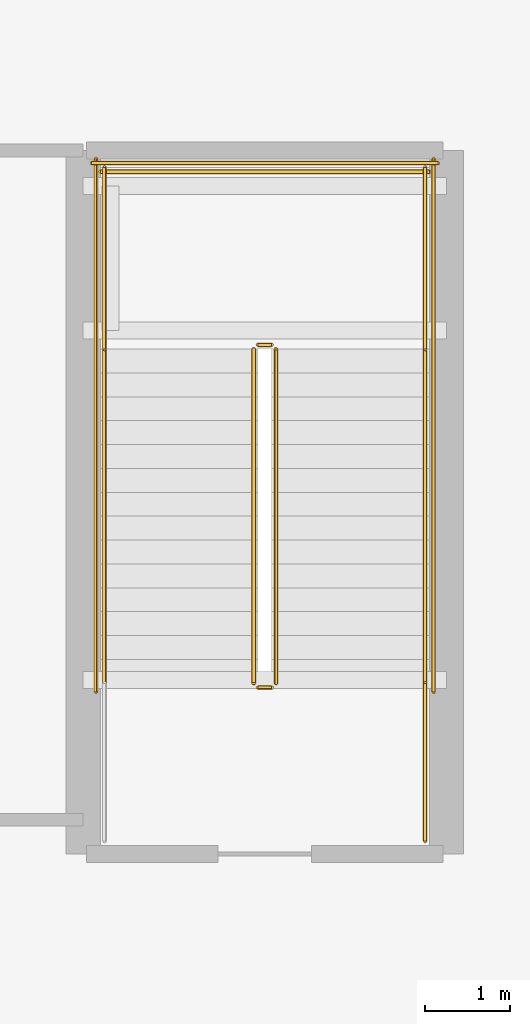
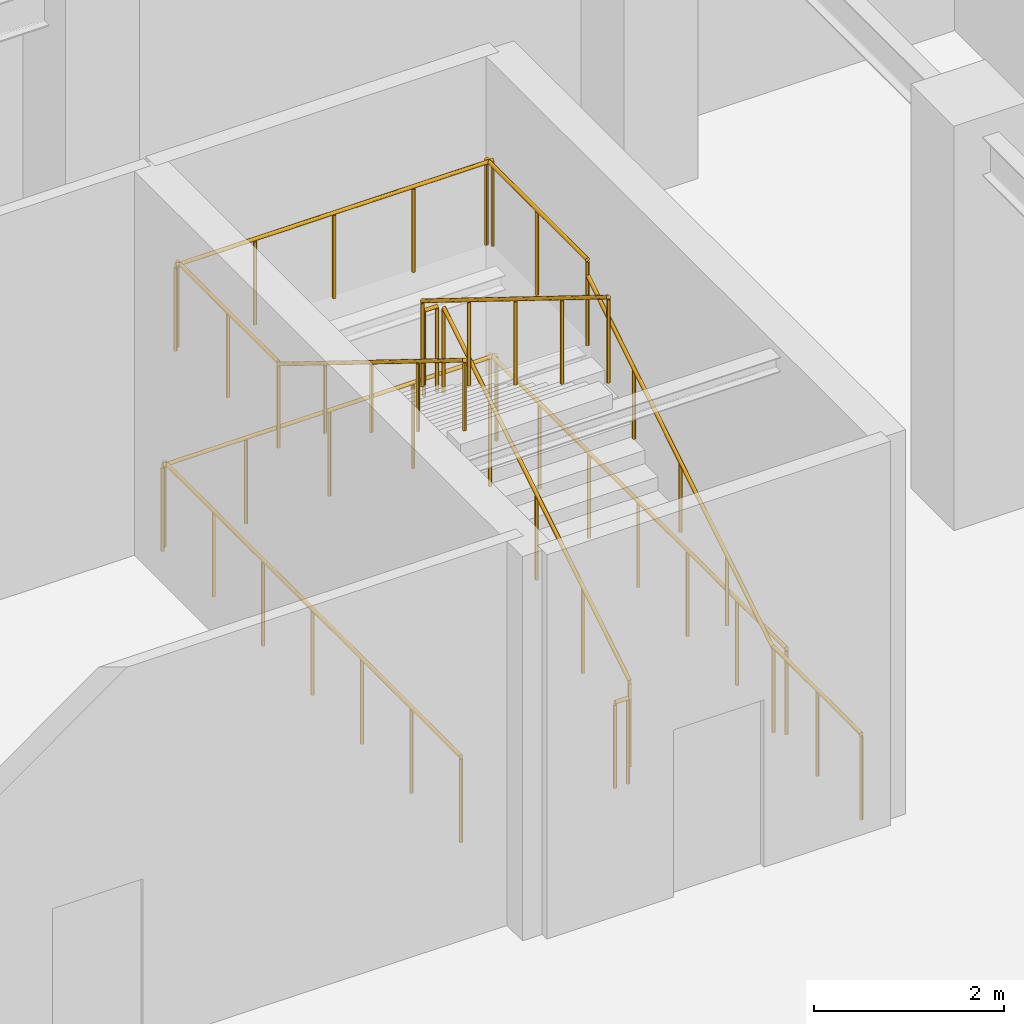
# One storey, part 19 of 19: 13 railings.
"""IFC4 building model written with IfcOpenShell, lengths in metres."""

from ifc_helpers import new_model, si_unit, direction, frame, origin, origin_2d, place, context, subcontext, project, spatial, circle, extrude, material, layer, layer_set, type_object, element, save


model = new_model("IFC4")

# Units and contexts
model_context = context("Model", 3, precision=1e-05, world=origin(), true_north=direction((0.0, 1.0)))
body_context = subcontext(model_context, "Body", "Model", "MODEL_VIEW")
ifc_project = project(units=[si_unit("LENGTHUNIT", "METRE"), si_unit("AREAUNIT", "SQUARE_METRE"), si_unit("VOLUMEUNIT", "CUBIC_METRE"), si_unit("PLANEANGLEUNIT", "RADIAN"), si_unit("MASSUNIT", "GRAM", prefix="KILO")], contexts=[model_context])

# Site, building, storey
site_placement = place(None, origin())
site = spatial("IfcSite", under=ifc_project, at=site_placement, CompositionType="ELEMENT")
building_placement = place(site_placement, origin())
building = spatial("IfcBuilding", under=site, at=building_placement, Name="Yelkora Congress Tower", CompositionType="ELEMENT")
storey_placement = place(building_placement, frame((0.0, 0.0, 5.199951171875)))
storey = spatial("IfcBuildingStorey", under=building, at=storey_placement, Name="L01", CompositionType="ELEMENT", Elevation=5.199951171875)

# Railings
ifc_material_1 = material(Name="Painted galvanised steel stair well guard with vertical infill", Category="steel")
ifc_layer_1 = layer(ifc_material_1, 0.06005859375)
ifc_layer_set_1 = layer_set([ifc_layer_1], Name="Painted galvanised steel stair well guard with vertical infill")
railing_type_1 = type_object("IfcRailingType", Name="RAIL-STAIR-GUARD-1120", PredefinedType="GUARDRAIL", material=ifc_layer_set_1)
railing_1_placement = place(storey_placement, frame((66.659912109375, 39.89990234375, 0.17333984375)))
element("IfcRailing", 1, at=railing_1_placement, inside=storey, type_object=railing_type_1, Name="ST-P2 L01 Stair Well Guardrail 1", PredefinedType="GUARDRAIL", context=body_context, shape_type="SweptSolid", body=[
    extrude(circle(Radius=0.02392578125, at=origin_2d()), frame((0.0, 0.0, 1.09619140625), z_axis=(0.0, 0.850266275192, 0.526352791643), x_axis=(-1.0, 0.0, 0.0)), (0.0, 0.0, 1.0), 4.610595703125),
    extrude(circle(Radius=0.02099609375, at=origin_2d()), origin(), (0.0, 0.0, 1.0), 1.072021484375),
    extrude(circle(Radius=0.02099609375, at=origin_2d()), frame((0.0, 0.97998046875, 0.606689453125)), (0.0, 0.0, 1.0), 1.072021484375),
    extrude(circle(Radius=0.02099609375, at=origin_2d()), frame((0.0, 1.9599609375, 1.21337890625)), (0.0, 0.0, 1.0), 1.072021484375),
    extrude(circle(Radius=0.02099609375, at=origin_2d()), frame((0.0, 2.940185546875, 1.820068359375)), (0.0, 0.0, 1.0), 1.072021484375),
    extrude(circle(Radius=0.02099609375, at=origin_2d()), frame((0.0, 3.920166015625, 2.4267578125)), (0.0, 0.0, 1.0), 1.072021484375),
])
railing_2_placement = place(storey_placement, frame((66.610107421875, 43.8701171875, 2.60009765625)))
element("IfcRailing", 2, at=railing_2_placement, inside=storey, type_object=railing_type_1, Name="ST-P2 L01 Stair Well Guardrail 2", PredefinedType="GUARDRAIL", context=body_context, shape_type="SweptSolid", body=[
    extrude(circle(Radius=0.02392578125, at=origin_2d()), frame((0.0, 0.0, 1.09619140625), z_axis=(-1.0, 0.0, 0.0), x_axis=(0.0, -1.0, 0.0)), (0.0, 0.0, 1.0), 0.16015625),
    extrude(circle(Radius=0.02099609375, at=origin_2d()), origin(), (0.0, 0.0, 1.0), 1.072021484375),
    extrude(circle(Radius=0.02099609375, at=origin_2d()), frame((-0.16015625, 0.0, 0.0)), (0.0, 0.0, 1.0), 1.072021484375),
])
for number, where, name in (
    (3, (68.409912109375, 43.820068359375, 2.60009765625), "ST-P2 L01 Stair Well Guardrail 3"),
    (4, (64.64990234375, 43.820068359375, 2.60009765625), "ST-P2 L01 Stair Well Guardrail 4"),
):
    element("IfcRailing", number, at=place(storey_placement, frame(where)), inside=storey, type_object=railing_type_1, Name=name, PredefinedType="GUARDRAIL", context=body_context, shape_type="SweptSolid", body=[
        extrude(circle(Radius=0.02392578125, at=origin_2d()), frame((0.0, 0.0, 1.09619140625), z_axis=(0.0, 1.0, 0.0), x_axis=(-1.0, 0.0, 0.0)), (0.0, 0.0, 1.0), 2.1298828125),
        extrude(circle(Radius=0.02099609375, at=origin_2d()), origin(), (0.0, 0.0, 1.0), 1.072021484375),
        extrude(circle(Radius=0.02099609375, at=origin_2d()), frame((0.0, 1.06494140625, 0.0)), (0.0, 0.0, 1.0), 1.072021484375),
        extrude(circle(Radius=0.02099609375, at=origin_2d()), frame((0.0, 2.1298828125, 0.0)), (0.0, 0.0, 1.0), 1.072021484375),
    ])
railing_3_placement = place(storey_placement, frame((68.4599609375, 45.89990234375, 2.60009765625)))
element("IfcRailing", 5, at=railing_3_placement, inside=storey, type_object=railing_type_1, Name="ST-P2 L01 Stair Well Guardrail 5", PredefinedType="GUARDRAIL", context=body_context, shape_type="SweptSolid", body=[
    extrude(circle(Radius=0.02392578125, at=origin_2d()), frame((0.0, 0.0, 1.09619140625), z_axis=(-1.0, 0.0, 0.0), x_axis=(0.0, -1.0, 0.0)), (0.0, 0.0, 1.0), 3.85986328125),
    extrude(circle(Radius=0.02099609375, at=origin_2d()), origin(), (0.0, 0.0, 1.0), 1.072021484375),
    extrude(circle(Radius=0.02099609375, at=origin_2d()), frame((-0.96484375, 0.0, 0.0)), (0.0, 0.0, 1.0), 1.072021484375),
    extrude(circle(Radius=0.02099609375, at=origin_2d()), frame((-1.929931640625, 0.0, 0.0)), (0.0, 0.0, 1.0), 1.072021484375),
    extrude(circle(Radius=0.02099609375, at=origin_2d()), frame((-2.89501953125, 0.0, 0.0)), (0.0, 0.0, 1.0), 1.072021484375),
    extrude(circle(Radius=0.02099609375, at=origin_2d()), frame((-3.85986328125, 0.0, 0.0)), (0.0, 0.0, 1.0), 1.072021484375),
])
railing_4_placement = place(storey_placement, frame((66.39990234375, 43.820068359375, 2.7734375)))
element("IfcRailing", 6, at=railing_4_placement, inside=storey, type_object=railing_type_1, Name="ST-P2 L01 Stair Well Guardrail 6", PredefinedType="GUARDRAIL", context=body_context, shape_type="SweptSolid", body=[
    extrude(circle(Radius=0.02392578125, at=origin_2d()), frame((0.0, 0.0, 1.09619140625), z_axis=(0.0, -0.850289973577, 0.526314507528), x_axis=(1.0, 0.0, 0.0)), (0.0, 0.0, 1.0), 4.6103515625),
    extrude(circle(Radius=0.02099609375, at=origin_2d()), origin(), (0.0, 0.0, 1.0), 1.072021484375),
    extrude(circle(Radius=0.02099609375, at=origin_2d()), frame((0.0, -0.97998046875, 0.606689453125)), (0.0, 0.0, 1.0), 1.072021484375),
    extrude(circle(Radius=0.02099609375, at=origin_2d()), frame((0.0, -1.9599609375, 1.21337890625)), (0.0, 0.0, 1.0), 1.072021484375),
    extrude(circle(Radius=0.02099609375, at=origin_2d()), frame((0.0, -2.940185546875, 1.81982421875)), (0.0, 0.0, 1.0), 1.072021484375),
    extrude(circle(Radius=0.02099609375, at=origin_2d()), frame((0.0, -3.920166015625, 2.426513671875)), (0.0, 0.0, 1.0), 1.072021484375),
])
railing_5_placement = place(storey_placement, frame((66.610107421875, 39.85009765625, 0.0)))
element("IfcRailing", 7, at=railing_5_placement, inside=storey, type_object=railing_type_1, Name="ST-P2 L01 Stair Well Guardrail 7", PredefinedType="GUARDRAIL", context=body_context, shape_type="SweptSolid", body=[
    extrude(circle(Radius=0.02392578125, at=origin_2d()), frame((0.0, 0.0, 1.09619140625), z_axis=(-1.0, 0.0, 0.0), x_axis=(0.0, -1.0, 0.0)), (0.0, 0.0, 1.0), 0.16015625),
    extrude(circle(Radius=0.02099609375, at=origin_2d()), origin(), (0.0, 0.0, 1.0), 1.072021484375),
    extrude(circle(Radius=0.02099609375, at=origin_2d()), frame((-0.16015625, 0.0, 0.0)), (0.0, 0.0, 1.0), 1.072021484375),
])
railing_6_placement = place(storey_placement, frame((68.409912109375, 38.050048828125, 0.0)))
element("IfcRailing", 8, at=railing_6_placement, inside=storey, type_object=railing_type_1, Name="ST-P2 L01 Stair Well Guardrail 8", PredefinedType="GUARDRAIL", context=body_context, shape_type="SweptSolid", body=[
    extrude(circle(Radius=0.02392578125, at=origin_2d()), frame((0.0, 0.0, 1.09619140625), z_axis=(0.0, 1.0, 0.0), x_axis=(-1.0, 0.0, 0.0)), (0.0, 0.0, 1.0), 1.849853515625),
    extrude(circle(Radius=0.02099609375, at=origin_2d()), origin(), (0.0, 0.0, 1.0), 1.072021484375),
    extrude(circle(Radius=0.02099609375, at=origin_2d()), frame((0.0, 0.9248046875, 0.0)), (0.0, 0.0, 1.0), 1.072021484375),
    extrude(circle(Radius=0.02099609375, at=origin_2d()), frame((0.0, 1.849853515625, 0.0)), (0.0, 0.0, 1.0), 1.072021484375),
])
for number, where, name in (
    (9, (68.510009765625, 39.800048828125, 0.0), "ST-P2 L01 Stair Well Guardrail 10"),
    (10, (64.550048828125, 39.800048828125, 0.0), "ST-P2 L01 Stair Well Guardrail 11"),
):
    element("IfcRailing", number, at=place(storey_placement, frame(where)), inside=storey, type_object=railing_type_1, Name=name, PredefinedType="GUARDRAIL", context=body_context, shape_type="SweptSolid", body=[
        extrude(circle(Radius=0.02392578125, at=origin_2d()), frame((0.0, 0.0, 1.09619140625), z_axis=(0.0, 1.0, 0.0), x_axis=(-1.0, 0.0, 0.0)), (0.0, 0.0, 1.0), 6.25),
        extrude(circle(Radius=0.02099609375, at=origin_2d()), origin(), (0.0, 0.0, 1.0), 1.072021484375),
        extrude(circle(Radius=0.02099609375, at=origin_2d()), frame((0.0, 1.041748046875, 0.0)), (0.0, 0.0, 1.0), 1.072021484375),
        extrude(circle(Radius=0.02099609375, at=origin_2d()), frame((0.0, 2.083251953125, 0.0)), (0.0, 0.0, 1.0), 1.072021484375),
        extrude(circle(Radius=0.02099609375, at=origin_2d()), frame((0.0, 3.125, 0.0)), (0.0, 0.0, 1.0), 1.072021484375),
        extrude(circle(Radius=0.02099609375, at=origin_2d()), frame((0.0, 4.166748046875, 0.0)), (0.0, 0.0, 1.0), 1.072021484375),
        extrude(circle(Radius=0.02099609375, at=origin_2d()), frame((0.0, 5.208251953125, 0.0)), (0.0, 0.0, 1.0), 1.072021484375),
        extrude(circle(Radius=0.02099609375, at=origin_2d()), frame((0.0, 6.25, 0.0)), (0.0, 0.0, 1.0), 1.072021484375),
    ])
railing_7_placement = place(storey_placement, frame((68.56005859375, 46.0, 0.0)))
element("IfcRailing", 11, at=railing_7_placement, inside=storey, type_object=railing_type_1, Name="ST-P2 L01 Stair Well Guardrail 12", PredefinedType="GUARDRAIL", context=body_context, shape_type="SweptSolid", body=[
    extrude(circle(Radius=0.02392578125, at=origin_2d()), frame((0.0, 0.0, 1.09619140625), z_axis=(-1.0, 0.0, 0.0), x_axis=(0.0, -1.0, 0.0)), (0.0, 0.0, 1.0), 4.06005859375),
    extrude(circle(Radius=0.02099609375, at=origin_2d()), origin(), (0.0, 0.0, 1.0), 1.072021484375),
    extrude(circle(Radius=0.02099609375, at=origin_2d()), frame((-1.01513671875, 0.0, 0.0)), (0.0, 0.0, 1.0), 1.072021484375),
    extrude(circle(Radius=0.02099609375, at=origin_2d()), frame((-2.030029296875, 0.0, 0.0)), (0.0, 0.0, 1.0), 1.072021484375),
    extrude(circle(Radius=0.02099609375, at=origin_2d()), frame((-3.044921875, 0.0, 0.0)), (0.0, 0.0, 1.0), 1.072021484375),
    extrude(circle(Radius=0.02099609375, at=origin_2d()), frame((-4.06005859375, 0.0, 0.0)), (0.0, 0.0, 1.0), 1.072021484375),
])
ifc_material_2 = material(Name="Brushed stainless steel tubular handrail", Category="steel")
ifc_layer_2 = layer(ifc_material_2, 0.050048828125)
ifc_layer_set_2 = layer_set([ifc_layer_2], Name="Brushed stainless steel tubular handrail")
railing_type_2 = type_object("IfcRailingType", Name="RAIL-STAIR-HAND-920", PredefinedType="HANDRAIL", material=ifc_layer_set_2)
railing_8_placement = place(storey_placement, frame((68.409912109375, 39.89990234375, 0.17333984375)))
element("IfcRailing", 12, at=railing_8_placement, inside=storey, type_object=railing_type_2, Name="ST-P2 L01 Pitch Handrail 1", PredefinedType="HANDRAIL", context=body_context, shape_type="SweptSolid", body=[
    extrude(circle(Radius=0.02392578125, at=origin_2d()), frame((0.0, 0.0, 0.89599609375), z_axis=(0.0, 0.850266275192, 0.526352791643), x_axis=(-1.0, 0.0, 0.0)), (0.0, 0.0, 1.0), 4.610595703125),
    extrude(circle(Radius=0.02099609375, at=origin_2d()), origin(), (0.0, 0.0, 1.0), 0.871826171875),
    extrude(circle(Radius=0.02099609375, at=origin_2d()), frame((0.0, 0.97998046875, 0.606689453125)), (0.0, 0.0, 1.0), 0.871826171875),
    extrude(circle(Radius=0.02099609375, at=origin_2d()), frame((0.0, 1.9599609375, 1.21337890625)), (0.0, 0.0, 1.0), 0.871826171875),
    extrude(circle(Radius=0.02099609375, at=origin_2d()), frame((0.0, 2.940185546875, 1.820068359375)), (0.0, 0.0, 1.0), 0.871826171875),
    extrude(circle(Radius=0.02099609375, at=origin_2d()), frame((0.0, 3.920166015625, 2.4267578125)), (0.0, 0.0, 1.0), 0.871826171875),
])
railing_9_placement = place(storey_placement, frame((64.64990234375, 43.820068359375, 2.7734375)))
element("IfcRailing", 13, at=railing_9_placement, inside=storey, type_object=railing_type_2, Name="ST-P2 L01 Pitch Handrail 2", PredefinedType="HANDRAIL", context=body_context, shape_type="SweptSolid", body=[
    extrude(circle(Radius=0.02392578125, at=origin_2d()), frame((0.0, 0.0, 0.89599609375), z_axis=(0.0, -0.850289973577, 0.526314507528), x_axis=(1.0, 0.0, 0.0)), (0.0, 0.0, 1.0), 4.6103515625),
    extrude(circle(Radius=0.02099609375, at=origin_2d()), origin(), (0.0, 0.0, 1.0), 0.871826171875),
    extrude(circle(Radius=0.02099609375, at=origin_2d()), frame((0.0, -0.97998046875, 0.606689453125)), (0.0, 0.0, 1.0), 0.871826171875),
    extrude(circle(Radius=0.02099609375, at=origin_2d()), frame((0.0, -1.9599609375, 1.21337890625)), (0.0, 0.0, 1.0), 0.871826171875),
    extrude(circle(Radius=0.02099609375, at=origin_2d()), frame((0.0, -2.940185546875, 1.81982421875)), (0.0, 0.0, 1.0), 0.871826171875),
    extrude(circle(Radius=0.02099609375, at=origin_2d()), frame((0.0, -3.920166015625, 2.426513671875)), (0.0, 0.0, 1.0), 0.871826171875),
])

save(model, "model.ifc")
